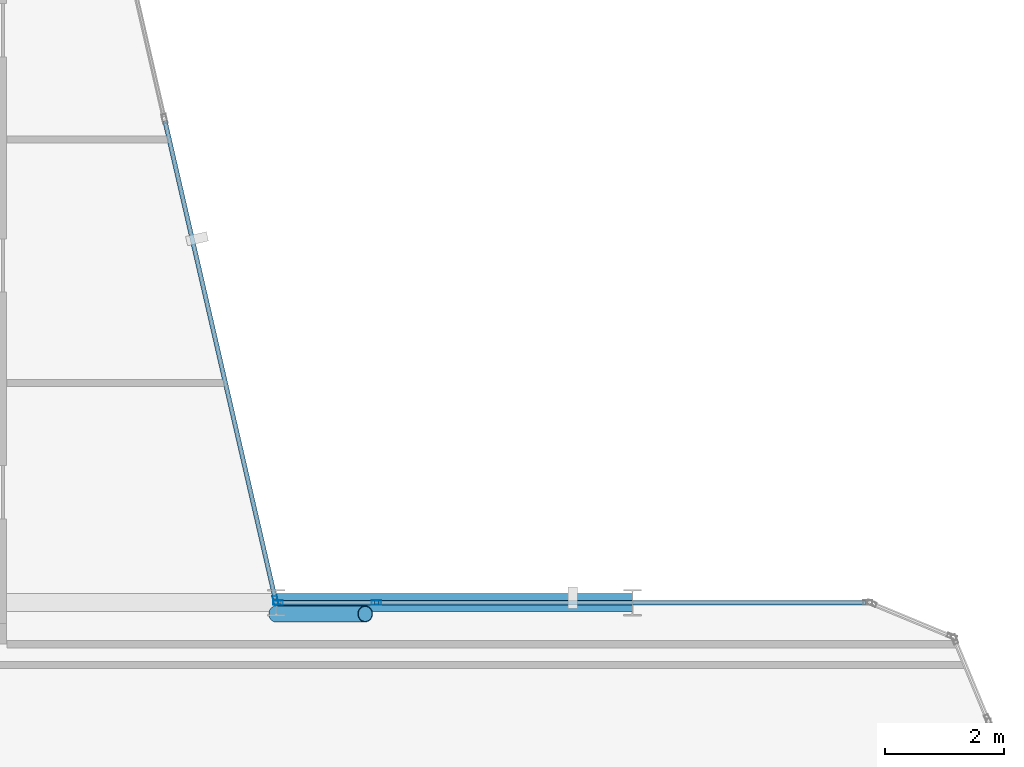
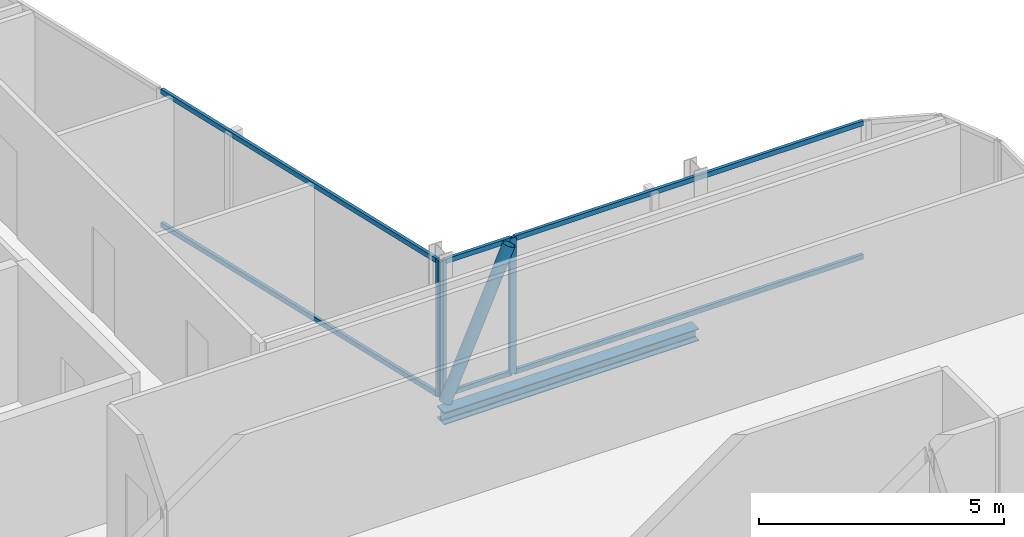
# One storey, part 14 of 29: 10 members, 1 beam, 3 elements without a shape of their own.
"""IFC4 building model written with IfcOpenShell, lengths in metres."""

from ifc_helpers import new_model, si_unit, direction, frame, origin, origin_2d, place, context, subcontext, project, spatial, hollow_rectangle, hollow_circle, i_section, extrude, material, layer, layer_set, material_profile, profile_set, type_object, element, aggregate, save


model = new_model("IFC4")

# Units and contexts
model_context = context("Model", 3, precision=1e-05, world=origin(), true_north=direction((0.0, 1.0)))
body_context = subcontext(model_context, "Body", "Model", "MODEL_VIEW")
ifc_project = project(units=[si_unit("LENGTHUNIT", "METRE"), si_unit("AREAUNIT", "SQUARE_METRE"), si_unit("VOLUMEUNIT", "CUBIC_METRE"), si_unit("PLANEANGLEUNIT", "RADIAN"), si_unit("MASSUNIT", "GRAM", prefix="KILO")], contexts=[model_context])

# Site, building, storey
site_placement = place(None, origin())
site = spatial("IfcSite", under=ifc_project, at=site_placement, CompositionType="ELEMENT")
building_placement = place(site_placement, origin())
building = spatial("IfcBuilding", under=site, at=building_placement, Name="Keshet Zoharim Tower", CompositionType="ELEMENT")
storey_placement = place(building_placement, frame((0.0, 0.0, 226.5)))
storey = spatial("IfcBuildingStorey", under=building, at=storey_placement, Name="L56", CompositionType="ELEMENT", Elevation=226.5)

# Beam
ifc_material_1 = material(Name="Steel S355", Category="steel")
ifc_material_profile_1 = material_profile(ifc_material_1, i_section(OverallWidth=0.300048828125, OverallDepth=0.300048828125, WebThickness=0.010986328125, FlangeThickness=0.01904296875, FilletRadius=0.027099609375, at=origin_2d()), Name="HEB300")
ifc_profile_set_1 = profile_set([ifc_material_profile_1], Name="Steel S355")
beam_type = type_object("IfcBeamType", Name="BM-PRI-HB300", PredefinedType="BEAM", material=ifc_profile_set_1)
beam_placement = place(storey_placement, frame((45.0, 27.89990234375, -0.4599609375), z_axis=(1.0, 0.0, 0.0), x_axis=(0.0, 1.0, 0.0)))
element("IfcBeam", 1, at=beam_placement, inside=storey, type_object=beam_type, Name="L56 Primary Girder X-016", PredefinedType="BEAM", context=body_context, shape_type="SweptSolid", body=[
    extrude(i_section(OverallWidth=0.300048828125, OverallDepth=0.300048828125, WebThickness=0.010986328125, FlangeThickness=0.01904296875, FilletRadius=0.027099609375, at=origin_2d()), origin(), (0.0, 0.0, 1.0), 6.0),
])

# Curtain wall, member
ifc_material_2 = material(Name="Aluminium 6063-T6", Category="aluminium")
ifc_layer = layer(ifc_material_2, 0.139892578125)
ifc_layer_set = layer_set([ifc_layer], Name="Aluminium 6063-T6")
curtain_wall_type = type_object("IfcCurtainWallType", Name="CW-SYS-05", PredefinedType="NOTDEFINED", material=ifc_layer_set)
curtain_wall_1_placement = place(storey_placement, origin())
curtain_wall_1 = element("IfcCurtainWall", 2, at=curtain_wall_1_placement, inside=storey, type_object=curtain_wall_type, Name="L56 Unitised Curtain Wall 19", PredefinedType="NOTDEFINED")
ifc_material_profile_2 = material_profile(ifc_material_2, hollow_rectangle(XDim=0.074951171875, YDim=0.159912109375, WallThickness=0.00390625, at=origin_2d()), Name="MUL-75x160")
ifc_profile_set_2 = profile_set([ifc_material_profile_2], Name="Aluminium 6063-T6")
member_type_1 = type_object("IfcMemberType", Name="CWM-M15", PredefinedType="MULLION", material=ifc_profile_set_2)
member_1_placement = place(storey_placement, frame((44.9921875, 27.93408203125, 0.0), z_axis=(0.0, 0.0, 1.0), x_axis=(0.974393882313, 0.224847864369, 0.0)))
member_1 = element("IfcMember", 3, at=member_1_placement, type_object=member_type_1, Name="CW-05 mullion 4", PredefinedType="MULLION", context=body_context, shape_type="SweptSolid", body=[
    extrude(hollow_rectangle(XDim=0.074951171875, YDim=0.159912109375, WallThickness=0.00390625, at=origin_2d()), origin(), (0.0, 0.0, 1.0), 3.389892578125),
])

# Curtain wall, members
curtain_wall_2_placement = place(storey_placement, origin())
curtain_wall_2 = element("IfcCurtainWall", 4, at=curtain_wall_2_placement, inside=storey, type_object=curtain_wall_type, Name="L56 Unitised Curtain Wall 20", PredefinedType="NOTDEFINED")
member_2_placement = place(storey_placement, frame((45.034912109375, 27.89990234375, 0.0), z_axis=(0.0, 0.0, 1.0), x_axis=(0.0, 1.0, 0.0)))
member_2 = element("IfcMember", 5, at=member_2_placement, type_object=member_type_1, Name="CW-05 mullion 1", PredefinedType="MULLION", context=body_context, shape_type="SweptSolid", body=[
    extrude(hollow_rectangle(XDim=0.074951171875, YDim=0.159912109375, WallThickness=0.00390625, at=origin_2d()), origin(), (0.0, 0.0, 1.0), 3.389892578125),
])
member_3_placement = place(storey_placement, frame((46.689697265625, 27.89990234375, 0.0), z_axis=(0.0, 0.0, 1.0), x_axis=(0.0, 1.0, 0.0)))
member_3 = element("IfcMember", 6, at=member_3_placement, type_object=member_type_1, Name="CW-05 mullion 2", PredefinedType="MULLION", context=body_context, shape_type="SweptSolid", body=[
    extrude(hollow_rectangle(XDim=0.074951171875, YDim=0.159912109375, WallThickness=0.00390625, at=origin_2d()), origin(), (0.0, 0.0, 1.0), 3.389892578125),
])

# Member
ifc_material_profile_3 = material_profile(ifc_material_2, hollow_rectangle(XDim=0.074951171875, YDim=0.1201171875, WallThickness=0.00390625, at=origin_2d()), Name="TRN-75x120")
ifc_profile_set_3 = profile_set([ifc_material_profile_3], Name="Aluminium 6063-T6")
member_type_2 = type_object("IfcMemberType", Name="CWT-T12", PredefinedType="USERDEFINED", material=ifc_profile_set_3)
member_4_placement = place(storey_placement, frame((43.127197265625, 36.015869140625, 0.034912109375), z_axis=(0.224863824467, -0.974390199277, 0.0), x_axis=(0.974390199277, 0.224863824467, 0.0)))
member_4 = element("IfcMember", 7, at=member_4_placement, type_object=member_type_2, Name="CW-05 transom 3.1", ObjectType="TRANSOM", PredefinedType="USERDEFINED", context=body_context, shape_type="SweptSolid", body=[
    extrude(hollow_rectangle(XDim=0.074951171875, YDim=0.1201171875, WallThickness=0.00390625, at=origin_2d()), origin(), (0.0, 0.0, 1.0), 8.259033203125),
])

member_5_placement = place(storey_placement, frame((43.127197265625, 36.015869140625, 3.35498046875), z_axis=(0.224863824467, -0.974390199277, 0.0), x_axis=(0.974390199277, 0.224863824467, 0.0)))
member_5 = element("IfcMember", 8, at=member_5_placement, type_object=member_type_2, Name="CW-05 transom 3.2", ObjectType="TRANSOM", PredefinedType="USERDEFINED", context=body_context, shape_type="SweptSolid", body=[
    extrude(hollow_rectangle(XDim=0.074951171875, YDim=0.1201171875, WallThickness=0.00390625, at=origin_2d()), origin(), (0.0, 0.0, 1.0), 8.259033203125),
])

aggregate(curtain_wall_1, [member_1, member_4, member_5])

member_6_placement = place(storey_placement, frame((45.070068359375, 27.89990234375, 0.034912109375), z_axis=(1.0, 0.0, 0.0), x_axis=(0.0, 1.0, 0.0)))
member_6 = element("IfcMember", 9, at=member_6_placement, type_object=member_type_2, Name="CW-05 transom 1.1", ObjectType="TRANSOM", PredefinedType="USERDEFINED", context=body_context, shape_type="SweptSolid", body=[
    extrude(hollow_rectangle(XDim=0.074951171875, YDim=0.1201171875, WallThickness=0.00390625, at=origin_2d()), origin(), (0.0, 0.0, 1.0), 1.584716796875),
])

member_7_placement = place(storey_placement, frame((45.070068359375, 27.89990234375, 3.35498046875), z_axis=(1.0, 0.0, 0.0), x_axis=(0.0, 1.0, 0.0)))
member_7 = element("IfcMember", 10, at=member_7_placement, type_object=member_type_2, Name="CW-05 transom 1.2", ObjectType="TRANSOM", PredefinedType="USERDEFINED", context=body_context, shape_type="SweptSolid", body=[
    extrude(hollow_rectangle(XDim=0.074951171875, YDim=0.1201171875, WallThickness=0.00390625, at=origin_2d()), origin(), (0.0, 0.0, 1.0), 1.584716796875),
])

aggregate(curtain_wall_2, [member_2, member_3, member_6, member_7])

# Curtain wall, members
curtain_wall_3_placement = place(storey_placement, origin())
curtain_wall_3 = element("IfcCurtainWall", 11, at=curtain_wall_3_placement, inside=storey, type_object=curtain_wall_type, Name="L56 Unitised Curtain Wall 20 Part 2", PredefinedType="NOTDEFINED")
member_8_placement = place(storey_placement, frame((46.724853515625, 27.89990234375, 0.034912109375), z_axis=(1.0, 0.0, 0.0), x_axis=(0.0, 1.0, 0.0)))
member_8 = element("IfcMember", 12, at=member_8_placement, type_object=member_type_2, Name="CW-05 transom 1.1", ObjectType="TRANSOM", PredefinedType="USERDEFINED", context=body_context, shape_type="SweptSolid", body=[
    extrude(hollow_rectangle(XDim=0.074951171875, YDim=0.1201171875, WallThickness=0.00390625, at=origin_2d()), origin(), (0.0, 0.0, 1.0), 8.205078125),
])
member_9_placement = place(storey_placement, frame((46.724853515625, 27.89990234375, 3.35498046875), z_axis=(1.0, 0.0, 0.0), x_axis=(0.0, 1.0, 0.0)))
member_9 = element("IfcMember", 13, at=member_9_placement, type_object=member_type_2, Name="CW-05 transom 1.2", ObjectType="TRANSOM", PredefinedType="USERDEFINED", context=body_context, shape_type="SweptSolid", body=[
    extrude(hollow_rectangle(XDim=0.074951171875, YDim=0.1201171875, WallThickness=0.00390625, at=origin_2d()), origin(), (0.0, 0.0, 1.0), 8.205078125),
])
aggregate(curtain_wall_3, [member_8, member_9])

# Member
ifc_material_profile_4 = material_profile(ifc_material_1, hollow_circle(Radius=0.136474609375, WallThickness=0.010009765625, at=origin_2d()), Name="CHS273x10")
ifc_profile_set_4 = profile_set([ifc_material_profile_4], Name="Steel S355")
member_type_3 = type_object("IfcMemberType", Name="MB-BR-C273", PredefinedType="BRACE", material=ifc_profile_set_4)
member_10_placement = place(storey_placement, frame((45.0, 27.7099609375, 0.0), z_axis=(0.40464689807, 0.0, 0.914473011019), x_axis=(0.0, 1.0, 0.0)))
element("IfcMember", 14, at=member_10_placement, inside=storey, type_object=member_type_3, Name="L56 Perimeter Tube Brace 04", PredefinedType="BRACE", context=body_context, shape_type="SweptSolid", body=[
    extrude(hollow_circle(Radius=0.136474609375, WallThickness=0.010009765625, at=origin_2d()), origin(), (0.0, 0.0, 1.0), 3.70703125),
])

save(model, "model.ifc")
